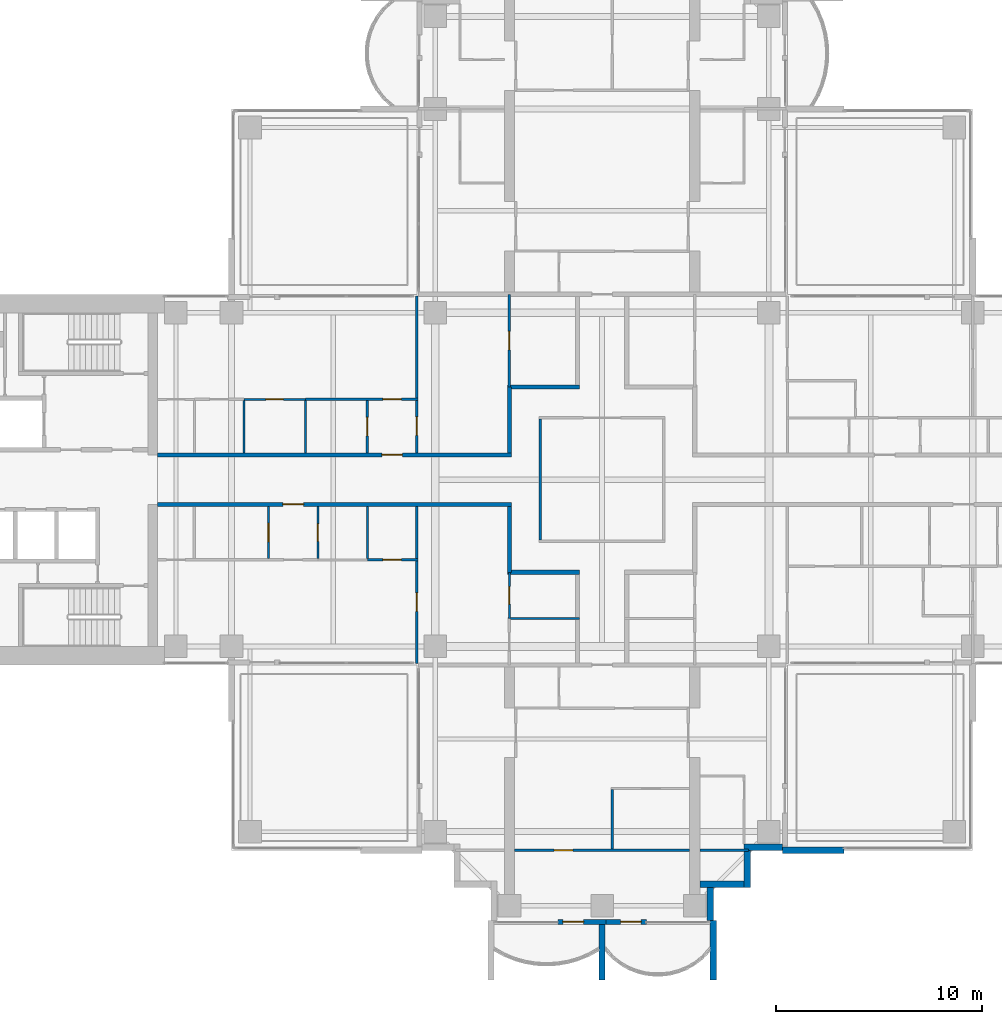
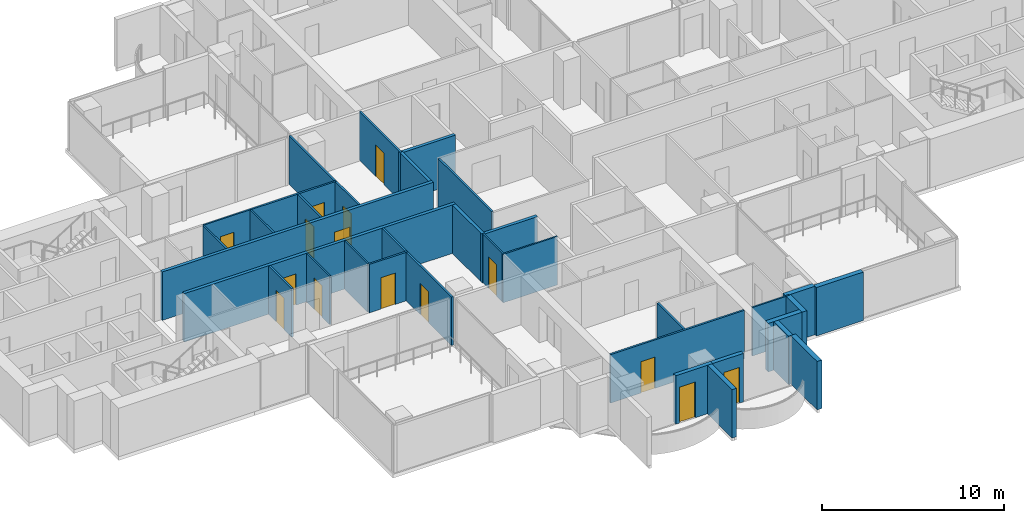
# One storey, part 10 of 19: 33 walls, 15 doors, 15 openings.
"""IFC4 building model written with IfcOpenShell, lengths in metres."""

from ifc_helpers import new_model, si_unit, direction, frame, frame_2d, origin, place, context, subcontext, project, spatial, rectangle, extrude, material, layer, layer_set, type_object, element, fill, save


model = new_model("IFC4")

# Units and contexts
model_context = context("Model", 3, precision=1e-05, world=origin(), true_north=direction((0.0, 1.0)))
body_context = subcontext(model_context, "Body", "Model", "MODEL_VIEW")
ifc_project = project(units=[si_unit("LENGTHUNIT", "METRE"), si_unit("AREAUNIT", "SQUARE_METRE"), si_unit("VOLUMEUNIT", "CUBIC_METRE"), si_unit("PLANEANGLEUNIT", "RADIAN"), si_unit("MASSUNIT", "GRAM", prefix="KILO")], contexts=[model_context])

# Site, building, storey
site_placement = place(None, origin())
site = spatial("IfcSite", under=ifc_project, at=site_placement, CompositionType="ELEMENT")
building_placement = place(site_placement, origin())
building = spatial("IfcBuilding", under=site, at=building_placement, Name="Perihelion Cross Residences", CompositionType="ELEMENT")
storey_placement = place(building_placement, frame((0.0, 0.0, 144.39990234375)))
storey = spatial("IfcBuildingStorey", under=building, at=storey_placement, Name="L35", CompositionType="ELEMENT", Elevation=144.39990234375)

# Wall, opening, door
ifc_material_1 = material(Name="Plasterboard partition")
ifc_layer_1 = layer(ifc_material_1, 0.199951171875)
ifc_layer_set_1 = layer_set([ifc_layer_1], Name="Apartment separation wall 200")
wall_type_1 = type_object("IfcWallType", Name="Apartment separation wall 200", PredefinedType="PARTITIONING", material=ifc_layer_set_1)
wall_1_placement = place(storey_placement, frame((-21.60009765625, 1.199951171875, 0.0), z_axis=(0.0, 0.0, 1.0), x_axis=(1.0, 0.0, 0.0)))
wall_1 = element("IfcWall", 1, at=wall_1_placement, inside=storey, type_object=wall_type_1, Name="Partition L35 W013", PredefinedType="PARTITIONING", context=body_context, shape_type="SweptSolid", body=[
    extrude(rectangle(XDim=17.2001953125, YDim=0.199951171875, at=frame_2d((8.60009765625, 0.0))), origin(), (0.0, 0.0, 1.0), 3.25),
])
opening_1_placement = place(wall_1_placement, frame((10.89990234375, 0.0, 0.0)))
opening_1 = element("IfcOpeningElement", 2, at=opening_1_placement, cuts=wall_1, Name="Opening L35.A52", PredefinedType="OPENING", context=body_context, shape_type="SweptSolid", body=[
    extrude(rectangle(XDim=1.0, YDim=2.10009765625, at=frame_2d((0.5, 1.050048828125))), frame((0.0, 0.10986328125, 0.0), z_axis=(0.0, -1.0, 0.0), x_axis=(1.0, 0.0, 0.0)), (0.0, 0.0, 1.0), 0.219970703125),
])
ifc_material_2 = material(Name="Timber door leaf", Category="wood")
door_type_1 = type_object("IfcDoorType", Name="Flat entrance door 1000 x 2100", OperationType="SINGLE_SWING_LEFT", PredefinedType="DOOR", material=ifc_material_2)
door_1_placement = place(opening_1_placement, origin())
door_1 = element("IfcDoor", 3, at=door_1_placement, inside=storey, type_object=door_type_1, Name="Door L35.A52", OperationType="SINGLE_SWING_RIGHT", OverallHeight=2.10009765625, OverallWidth=1.0, PredefinedType="DOOR", context=body_context, shape_type="SweptSolid", body=[
    extrude(rectangle(XDim=1.0, YDim=2.10009765625, at=frame_2d((0.5, 1.050048828125))), frame((0.0, 0.02490234375, 0.0), z_axis=(0.0, -1.0, 0.0), x_axis=(1.0, 0.0, 0.0)), (0.0, 0.0, 1.0), 0.050048828125),
])
fill(opening_1, door_1)

# Walls
wall_2_placement = place(storey_placement, frame((-4.5, 1.300048828125, 0.0), z_axis=(0.0, 0.0, 1.0), x_axis=(0.0, 1.0, 0.0)))
element("IfcWall", 4, at=wall_2_placement, inside=storey, type_object=wall_type_1, Name="Partition L35 W014", PredefinedType="PARTITIONING", context=body_context, shape_type="SweptSolid", body=[
    extrude(rectangle(XDim=3.199951171875, YDim=0.199951171875, at=frame_2d((1.60009765625, 0.0))), origin(), (0.0, 0.0, 1.0), 3.25),
])
wall_3_placement = place(storey_placement, frame((-4.60009765625, 4.5, 0.0), z_axis=(0.0, 0.0, 1.0), x_axis=(1.0, 0.0, 0.0)))
element("IfcWall", 5, at=wall_3_placement, inside=storey, type_object=wall_type_1, Name="Partition L35 W015", PredefinedType="PARTITIONING", context=body_context, shape_type="SweptSolid", body=[
    extrude(rectangle(XDim=3.5, YDim=0.199951171875, at=frame_2d((1.75, 0.0))), origin(), (0.0, 0.0, 1.0), 3.25),
])

# Wall, opening, door
wall_4_placement = place(storey_placement, frame((-4.39990234375, -1.199951171875, 0.0), z_axis=(0.0, 0.0, 1.0), x_axis=(-1.0, 0.0, 0.0)))
wall_4 = element("IfcWall", 6, at=wall_4_placement, inside=storey, type_object=wall_type_1, Name="Partition L35 W017", PredefinedType="PARTITIONING", context=body_context, shape_type="SweptSolid", body=[
    extrude(rectangle(XDim=17.2001953125, YDim=0.199951171875, at=frame_2d((8.60009765625, 0.0))), origin(), (0.0, 0.0, 1.0), 3.25),
])
opening_2_placement = place(wall_4_placement, frame((10.10009765625, 0.0, 0.0)))
opening_2 = element("IfcOpeningElement", 7, at=opening_2_placement, cuts=wall_4, Name="Opening L35.A53", PredefinedType="OPENING", context=body_context, shape_type="SweptSolid", body=[
    extrude(rectangle(XDim=1.0, YDim=2.10009765625, at=frame_2d((0.5, 1.050048828125))), frame((0.0, 0.10986328125, 0.0), z_axis=(0.0, -1.0, 0.0), x_axis=(1.0, 0.0, 0.0)), (0.0, 0.0, 1.0), 0.219970703125),
])
door_2_placement = place(opening_2_placement, origin())
door_2 = element("IfcDoor", 8, at=door_2_placement, inside=storey, type_object=door_type_1, Name="Door L35.A53", OperationType="SINGLE_SWING_RIGHT", OverallHeight=2.10009765625, OverallWidth=1.0, PredefinedType="DOOR", context=body_context, shape_type="SweptSolid", body=[
    extrude(rectangle(XDim=1.0, YDim=2.10009765625, at=frame_2d((0.5, 1.050048828125))), frame((0.0, 0.02490234375, 0.0), z_axis=(0.0, -1.0, 0.0), x_axis=(1.0, 0.0, 0.0)), (0.0, 0.0, 1.0), 0.050048828125),
])
fill(opening_2, door_2)

# Walls
wall_5_placement = place(storey_placement, frame((-4.5, -4.5, 0.0), z_axis=(0.0, 0.0, 1.0), x_axis=(0.0, 1.0, 0.0)))
element("IfcWall", 9, at=wall_5_placement, inside=storey, type_object=wall_type_1, Name="Partition L35 W018", PredefinedType="PARTITIONING", context=body_context, shape_type="SweptSolid", body=[
    extrude(rectangle(XDim=3.199951171875, YDim=0.199951171875, at=frame_2d((1.60009765625, 0.0))), origin(), (0.0, 0.0, 1.0), 3.25),
])
wall_6_placement = place(storey_placement, frame((-1.10009765625, -4.5, 0.0), z_axis=(0.0, 0.0, 1.0), x_axis=(-1.0, 0.0, 0.0)))
element("IfcWall", 10, at=wall_6_placement, inside=storey, type_object=wall_type_1, Name="Partition L35 W020", PredefinedType="PARTITIONING", context=body_context, shape_type="SweptSolid", body=[
    extrude(rectangle(XDim=3.5, YDim=0.199951171875, at=frame_2d((1.75, 0.0))), origin(), (0.0, 0.0, 1.0), 3.25),
])

# Wall, opening, door
ifc_material_3 = material(Name="Concrete C30/37, bronze-clad", Category="concrete")
ifc_layer_2 = layer(ifc_material_3, 0.25)
ifc_layer_set_2 = layer_set([ifc_layer_2], Name="Bronze-clad pier wall 250")
wall_type_2 = type_object("IfcWallType", Name="Bronze-clad pier wall 250", PredefinedType="SOLIDWALL", material=ifc_layer_set_2)
wall_7_placement = place(storey_placement, frame((-2.14990234375, -21.47509765625, 0.0), z_axis=(0.0, 0.0, 1.0), x_axis=(1.0, 0.0, 0.0)))
wall_7 = element("IfcWall", 11, at=wall_7_placement, inside=storey, type_object=wall_type_2, Name="Wall FW1 L35 south tip south bay 1 pier", PredefinedType="SOLIDWALL", context=body_context, shape_type="SweptSolid", body=[
    extrude(rectangle(XDim=2.349853515625, YDim=0.25, at=frame_2d((1.1748046875, 0.0))), origin(), (0.0, 0.0, 1.0), 3.25),
])
opening_3_placement = place(wall_7_placement, frame((0.25, 0.0, 0.0)))
opening_3 = element("IfcOpeningElement", 12, at=opening_3_placement, cuts=wall_7, Name="Opening L35.E11", PredefinedType="OPENING", context=body_context, shape_type="SweptSolid", body=[
    extrude(rectangle(XDim=1.0, YDim=2.39990234375, at=frame_2d((0.5, 1.199951171875))), frame((0.0, 0.135009765625, 0.0), z_axis=(0.0, -1.0, 0.0), x_axis=(1.0, 0.0, 0.0)), (0.0, 0.0, 1.0), 0.27001953125),
])
ifc_material_4 = material(Name="Bronze anodised aluminium, glazed", Category="aluminium")
door_type_2 = type_object("IfcDoorType", Name="Balcony door 1000 x 2400", OperationType="NOTDEFINED", PredefinedType="DOOR", material=ifc_material_4)
door_3_placement = place(opening_3_placement, origin())
door_3 = element("IfcDoor", 13, at=door_3_placement, inside=storey, type_object=door_type_2, Name="Door L35.E11 south tip south bay 1", OperationType="SINGLE_SWING_RIGHT", OverallHeight=2.39990234375, OverallWidth=1.0, PredefinedType="DOOR", context=body_context, shape_type="SweptSolid", body=[
    extrude(rectangle(XDim=1.0, YDim=2.39990234375, at=frame_2d((0.5, 1.199951171875))), frame((0.0, 0.02490234375, 0.0), z_axis=(0.0, -1.0, 0.0), x_axis=(1.0, 0.0, 0.0)), (0.0, 0.0, 1.0), 0.050048828125),
])
fill(opening_3, door_3)

wall_8_placement = place(storey_placement, frame((0.199951171875, -21.47509765625, 0.0), z_axis=(0.0, 0.0, 1.0), x_axis=(1.0, 0.0, 0.0)))
wall_8 = element("IfcWall", 14, at=wall_8_placement, inside=storey, type_object=wall_type_2, Name="Wall FW1 L35 south tip south bay 2 pier", PredefinedType="SOLIDWALL", context=body_context, shape_type="SweptSolid", body=[
    extrude(rectangle(XDim=1.949951171875, YDim=0.25, at=frame_2d((0.97509765625, 0.0))), origin(), (0.0, 0.0, 1.0), 3.25),
])
opening_4_placement = place(wall_8_placement, frame((0.699951171875, 0.0, 0.0)))
opening_4 = element("IfcOpeningElement", 15, at=opening_4_placement, cuts=wall_8, Name="Opening L35.E12", PredefinedType="OPENING", context=body_context, shape_type="SweptSolid", body=[
    extrude(rectangle(XDim=1.0, YDim=2.39990234375, at=frame_2d((0.5, 1.199951171875))), frame((0.0, 0.135009765625, 0.0), z_axis=(0.0, -1.0, 0.0), x_axis=(1.0, 0.0, 0.0)), (0.0, 0.0, 1.0), 0.27001953125),
])
door_4_placement = place(opening_4_placement, origin())
door_4 = element("IfcDoor", 16, at=door_4_placement, inside=storey, type_object=door_type_2, Name="Door L35.E12 south tip south bay 2", OperationType="SINGLE_SWING_LEFT", OverallHeight=2.39990234375, OverallWidth=1.0, PredefinedType="DOOR", context=body_context, shape_type="SweptSolid", body=[
    extrude(rectangle(XDim=1.0, YDim=2.39990234375, at=frame_2d((0.5, 1.199951171875))), frame((0.0, 0.02490234375, 0.0), z_axis=(0.0, -1.0, 0.0), x_axis=(1.0, 0.0, 0.0)), (0.0, 0.0, 1.0), 0.050048828125),
])
fill(opening_4, door_4)

# Walls
ifc_material_5 = material(Name="Concrete C30/37, bronze-clad", Category="concrete")
ifc_layer_3 = layer(ifc_material_5, 0.300048828125)
ifc_layer_set_3 = layer_set([ifc_layer_3], Name="Bronze-clad serration wall 300")
wall_type_3 = type_object("IfcWallType", Name="Bronze-clad serration wall 300", PredefinedType="SOLIDWALL", material=ifc_layer_set_3)
wall_9_placement = place(storey_placement, frame((5.25, -21.419921875, 0.0), z_axis=(0.0, 0.0, 1.0), x_axis=(0.0, 1.0, 0.0)))
element("IfcWall", 17, at=wall_9_placement, inside=storey, type_object=wall_type_3, Name="Wall SR1 L35 south corner south-east 1", PredefinedType="SOLIDWALL", context=body_context, shape_type="SweptSolid", body=[
    extrude(rectangle(XDim=1.619873046875, YDim=0.300048828125, at=frame_2d((0.81005859375, 0.0))), origin(), (0.0, 0.0, 1.0), 3.25),
])
wall_10_placement = place(storey_placement, frame((4.75, -19.64990234375, 0.0), z_axis=(0.0, 0.0, 1.0), x_axis=(1.0, 0.0, 0.0)))
element("IfcWall", 18, at=wall_10_placement, inside=storey, type_object=wall_type_3, Name="Wall SR1 L35 south corner south-east 2", PredefinedType="SOLIDWALL", context=body_context, shape_type="SweptSolid", body=[
    extrude(rectangle(XDim=2.14990234375, YDim=0.300048828125, at=frame_2d((1.074951171875, 0.0))), origin(), (0.0, 0.0, 1.0), 3.25),
])
wall_11_placement = place(storey_placement, frame((7.050048828125, -19.800048828125, 0.0), z_axis=(0.0, 0.0, 1.0), x_axis=(0.0, 1.0, 0.0)))
element("IfcWall", 19, at=wall_11_placement, inside=storey, type_object=wall_type_3, Name="Wall SR1 L35 south corner south-east 3", PredefinedType="SOLIDWALL", context=body_context, shape_type="SweptSolid", body=[
    extrude(rectangle(XDim=1.800048828125, YDim=0.300048828125, at=frame_2d((0.89990234375, 0.0))), origin(), (0.0, 0.0, 1.0), 3.25),
])
wall_12_placement = place(storey_placement, frame((6.89990234375, -17.85009765625, 0.0), z_axis=(0.0, 0.0, 1.0), x_axis=(1.0, 0.0, 0.0)))
element("IfcWall", 20, at=wall_12_placement, inside=storey, type_object=wall_type_3, Name="Wall SR1 L35 south corner south-east 4", PredefinedType="SOLIDWALL", context=body_context, shape_type="SweptSolid", body=[
    extrude(rectangle(XDim=1.85009765625, YDim=0.300048828125, at=frame_2d((0.925048828125, 0.0))), origin(), (0.0, 0.0, 1.0), 3.25),
])
ifc_material_6 = material(Name="Plasterboard partition")
ifc_layer_4 = layer(ifc_material_6, 0.1201171875)
ifc_layer_set_4 = layer_set([ifc_layer_4], Name="Partition wall 120")
wall_type_4 = type_object("IfcWallType", Name="Partition wall 120", PredefinedType="PARTITIONING", material=ifc_layer_set_4)
wall_13_placement = place(storey_placement, frame((-3.0, 2.93994140625, 0.0), z_axis=(0.0, 0.0, 1.0), x_axis=(0.0, -1.0, 0.0)))
element("IfcWall", 21, at=wall_13_placement, inside=storey, type_object=wall_type_4, Name="Partition L35 W004", PredefinedType="PARTITIONING", context=body_context, shape_type="SweptSolid", body=[
    extrude(rectangle(XDim=5.8798828125, YDim=0.1201171875, at=frame_2d((2.93994140625, 0.0))), origin(), (0.0, 0.0, 1.0), 3.25),
])

# Wall, opening, door
wall_14_placement = place(storey_placement, frame((-11.39990234375, 1.300048828125, 0.0), z_axis=(0.0, 0.0, 1.0), x_axis=(0.0, 1.0, 0.0)))
wall_14 = element("IfcWall", 22, at=wall_14_placement, inside=storey, type_object=wall_type_4, Name="Partition L35 W046", PredefinedType="PARTITIONING", context=body_context, shape_type="SweptSolid", body=[
    extrude(rectangle(XDim=2.5400390625, YDim=0.1201171875, at=frame_2d((1.27001953125, 0.0))), origin(), (0.0, 0.0, 1.0), 3.25),
])
opening_5_placement = place(wall_14_placement, frame((0.820068359375, 0.0, 0.0)))
opening_5 = element("IfcOpeningElement", 23, at=opening_5_placement, cuts=wall_14, Name="Opening L35.A21", PredefinedType="OPENING", context=body_context, shape_type="SweptSolid", body=[
    extrude(rectangle(XDim=0.89990234375, YDim=2.10009765625, at=frame_2d((0.449951171875, 1.050048828125))), frame((0.0, 0.070068359375, 0.0), z_axis=(0.0, -1.0, 0.0), x_axis=(1.0, 0.0, 0.0)), (0.0, 0.0, 1.0), 0.14013671875),
])
ifc_material_7 = material(Name="Timber door leaf", Category="wood")
door_type_3 = type_object("IfcDoorType", Name="Interior room door 900 x 2100", OperationType="SINGLE_SWING_LEFT", PredefinedType="DOOR", material=ifc_material_7)
door_5_placement = place(opening_5_placement, origin())
door_5 = element("IfcDoor", 24, at=door_5_placement, inside=storey, type_object=door_type_3, Name="Door L35.A21", OperationType="SINGLE_SWING_LEFT", OverallHeight=2.10009765625, OverallWidth=0.89990234375, PredefinedType="DOOR", context=body_context, shape_type="SweptSolid", body=[
    extrude(rectangle(XDim=0.89990234375, YDim=2.10009765625, at=frame_2d((0.449951171875, 1.050048828125))), frame((0.0, 0.02490234375, 0.0), z_axis=(0.0, -1.0, 0.0), x_axis=(1.0, 0.0, 0.0)), (0.0, 0.0, 1.0), 0.050048828125),
])
fill(opening_5, door_5)

wall_15_placement = place(storey_placement, frame((-14.39990234375, 3.89990234375, 0.0), z_axis=(0.0, 0.0, 1.0), x_axis=(1.0, 0.0, 0.0)))
wall_15 = element("IfcWall", 25, at=wall_15_placement, inside=storey, type_object=wall_type_4, Name="Partition L35 W047", PredefinedType="PARTITIONING", context=body_context, shape_type="SweptSolid", body=[
    extrude(rectangle(XDim=5.4599609375, YDim=0.1201171875, at=frame_2d((2.72998046875, 0.0))), origin(), (0.0, 0.0, 1.0), 3.25),
])
opening_6_placement = place(wall_15_placement, frame((3.75, 0.0, 0.0)))
opening_6 = element("IfcOpeningElement", 26, at=opening_6_placement, cuts=wall_15, Name="Opening L35.A23", PredefinedType="OPENING", context=body_context, shape_type="SweptSolid", body=[
    extrude(rectangle(XDim=0.89990234375, YDim=2.10009765625, at=frame_2d((0.449951171875, 1.050048828125))), frame((0.0, 0.070068359375, 0.0), z_axis=(0.0, -1.0, 0.0), x_axis=(1.0, 0.0, 0.0)), (0.0, 0.0, 1.0), 0.14013671875),
])
door_6_placement = place(opening_6_placement, origin())
door_6 = element("IfcDoor", 27, at=door_6_placement, inside=storey, type_object=door_type_3, Name="Door L35.A23", OperationType="SINGLE_SWING_RIGHT", OverallHeight=2.10009765625, OverallWidth=0.89990234375, PredefinedType="DOOR", context=body_context, shape_type="SweptSolid", body=[
    extrude(rectangle(XDim=0.89990234375, YDim=2.10009765625, at=frame_2d((0.449951171875, 1.050048828125))), frame((0.0, 0.02490234375, 0.0), z_axis=(0.0, -1.0, 0.0), x_axis=(1.0, 0.0, 0.0)), (0.0, 0.0, 1.0), 0.050048828125),
])
fill(opening_6, door_6)

wall_16_placement = place(storey_placement, frame((-9.0, 8.919921875, 0.0), z_axis=(0.0, 0.0, 1.0), x_axis=(0.0, -1.0, 0.0)))
wall_16 = element("IfcWall", 28, at=wall_16_placement, inside=storey, type_object=wall_type_4, Name="Partition L35 W048", PredefinedType="PARTITIONING", context=body_context, shape_type="SweptSolid", body=[
    extrude(rectangle(XDim=7.619873046875, YDim=0.1201171875, at=frame_2d((3.81005859375, 0.0))), origin(), (0.0, 0.0, 1.0), 3.25),
])
opening_7_placement = place(wall_16_placement, frame((5.8701171875, 0.0, 0.0)))
opening_7 = element("IfcOpeningElement", 29, at=opening_7_placement, cuts=wall_16, Name="Opening L35.A24", PredefinedType="OPENING", context=body_context, shape_type="SweptSolid", body=[
    extrude(rectangle(XDim=0.89990234375, YDim=2.10009765625, at=frame_2d((0.449951171875, 1.050048828125))), frame((0.0, 0.070068359375, 0.0), z_axis=(0.0, -1.0, 0.0), x_axis=(1.0, 0.0, 0.0)), (0.0, 0.0, 1.0), 0.14013671875),
])
door_7_placement = place(opening_7_placement, origin())
door_7 = element("IfcDoor", 30, at=door_7_placement, inside=storey, type_object=door_type_3, Name="Door L35.A24", OperationType="SINGLE_SWING_RIGHT", OverallHeight=2.10009765625, OverallWidth=0.89990234375, PredefinedType="DOOR", context=body_context, shape_type="SweptSolid", body=[
    extrude(rectangle(XDim=0.89990234375, YDim=2.10009765625, at=frame_2d((0.449951171875, 1.050048828125))), frame((0.0, 0.02490234375, 0.0), z_axis=(0.0, -1.0, 0.0), x_axis=(1.0, 0.0, 0.0)), (0.0, 0.0, 1.0), 0.050048828125),
])
fill(opening_7, door_7)

wall_17_placement = place(storey_placement, frame((-4.5, 9.0, 0.0), z_axis=(0.0, 0.0, 1.0), x_axis=(0.0, -1.0, 0.0)))
wall_17 = element("IfcWall", 31, at=wall_17_placement, inside=storey, type_object=wall_type_4, Name="Partition L35 W055", PredefinedType="PARTITIONING", context=body_context, shape_type="SweptSolid", body=[
    extrude(rectangle(XDim=4.5, YDim=0.1201171875, at=frame_2d((2.25, 0.0))), origin(), (0.0, 0.0, 1.0), 3.25),
])
opening_8_placement = place(wall_17_placement, frame((1.800048828125, 0.0, 0.0)))
opening_8 = element("IfcOpeningElement", 32, at=opening_8_placement, cuts=wall_17, Name="Opening L35.A20", PredefinedType="OPENING", context=body_context, shape_type="SweptSolid", body=[
    extrude(rectangle(XDim=0.89990234375, YDim=2.10009765625, at=frame_2d((0.449951171875, 1.050048828125))), frame((0.0, 0.070068359375, 0.0), z_axis=(0.0, -1.0, 0.0), x_axis=(1.0, 0.0, 0.0)), (0.0, 0.0, 1.0), 0.14013671875),
])
door_8_placement = place(opening_8_placement, origin())
door_8 = element("IfcDoor", 33, at=door_8_placement, inside=storey, type_object=door_type_3, Name="Door L35.A20", OperationType="SINGLE_SWING_LEFT", OverallHeight=2.10009765625, OverallWidth=0.89990234375, PredefinedType="DOOR", context=body_context, shape_type="SweptSolid", body=[
    extrude(rectangle(XDim=0.89990234375, YDim=2.10009765625, at=frame_2d((0.449951171875, 1.050048828125))), frame((0.0, 0.02490234375, 0.0), z_axis=(0.0, -1.0, 0.0), x_axis=(1.0, 0.0, 0.0)), (0.0, 0.0, 1.0), 0.050048828125),
])
fill(opening_8, door_8)

wall_18_placement = place(storey_placement, frame((-8.93994140625, -3.89990234375, 0.0), z_axis=(0.0, 0.0, 1.0), x_axis=(-1.0, 0.0, 0.0)))
wall_18 = element("IfcWall", 34, at=wall_18_placement, inside=storey, type_object=wall_type_4, Name="Partition L35 W057", PredefinedType="PARTITIONING", context=body_context, shape_type="SweptSolid", body=[
    extrude(rectangle(XDim=2.4599609375, YDim=0.1201171875, at=frame_2d((1.22998046875, 0.0))), origin(), (0.0, 0.0, 1.0), 3.25),
])
opening_9_placement = place(wall_18_placement, frame((0.81005859375, 0.0, 0.0)))
opening_9 = element("IfcOpeningElement", 35, at=opening_9_placement, cuts=wall_18, Name="Opening L35.A33", PredefinedType="OPENING", context=body_context, shape_type="SweptSolid", body=[
    extrude(rectangle(XDim=0.89990234375, YDim=2.10009765625, at=frame_2d((0.449951171875, 1.050048828125))), frame((0.0, 0.070068359375, 0.0), z_axis=(0.0, -1.0, 0.0), x_axis=(1.0, 0.0, 0.0)), (0.0, 0.0, 1.0), 0.14013671875),
])
door_9_placement = place(opening_9_placement, origin())
door_9 = element("IfcDoor", 36, at=door_9_placement, inside=storey, type_object=door_type_3, Name="Door L35.A33", OperationType="SINGLE_SWING_RIGHT", OverallHeight=2.10009765625, OverallWidth=0.89990234375, PredefinedType="DOOR", context=body_context, shape_type="SweptSolid", body=[
    extrude(rectangle(XDim=0.89990234375, YDim=2.10009765625, at=frame_2d((0.449951171875, 1.050048828125))), frame((0.0, 0.02490234375, 0.0), z_axis=(0.0, -1.0, 0.0), x_axis=(1.0, 0.0, 0.0)), (0.0, 0.0, 1.0), 0.050048828125),
])
fill(opening_9, door_9)

wall_19_placement = place(storey_placement, frame((-9.0, -1.300048828125, 0.0), z_axis=(0.0, 0.0, 1.0), x_axis=(0.0, -1.0, 0.0)))
wall_19 = element("IfcWall", 37, at=wall_19_placement, inside=storey, type_object=wall_type_4, Name="Partition L35 W058", PredefinedType="PARTITIONING", context=body_context, shape_type="SweptSolid", body=[
    extrude(rectangle(XDim=7.619873046875, YDim=0.1201171875, at=frame_2d((3.81005859375, 0.0))), origin(), (0.0, 0.0, 1.0), 3.25),
])
opening_10_placement = place(wall_19_placement, frame((4.199951171875, 0.0, 0.0)))
opening_10 = element("IfcOpeningElement", 38, at=opening_10_placement, cuts=wall_19, Name="Opening L35.A28", PredefinedType="OPENING", context=body_context, shape_type="SweptSolid", body=[
    extrude(rectangle(XDim=0.89990234375, YDim=2.10009765625, at=frame_2d((0.449951171875, 1.050048828125))), frame((0.0, 0.070068359375, 0.0), z_axis=(0.0, -1.0, 0.0), x_axis=(1.0, 0.0, 0.0)), (0.0, 0.0, 1.0), 0.14013671875),
])
door_10_placement = place(opening_10_placement, origin())
door_10 = element("IfcDoor", 39, at=door_10_placement, inside=storey, type_object=door_type_3, Name="Door L35.A28", OperationType="SINGLE_SWING_RIGHT", OverallHeight=2.10009765625, OverallWidth=0.89990234375, PredefinedType="DOOR", context=body_context, shape_type="SweptSolid", body=[
    extrude(rectangle(XDim=0.89990234375, YDim=2.10009765625, at=frame_2d((0.449951171875, 1.050048828125))), frame((0.0, 0.02490234375, 0.0), z_axis=(0.0, -1.0, 0.0), x_axis=(1.0, 0.0, 0.0)), (0.0, 0.0, 1.0), 0.050048828125),
])
fill(opening_10, door_10)

wall_20_placement = place(storey_placement, frame((-16.199951171875, -3.840087890625, 0.0), z_axis=(0.0, 0.0, 1.0), x_axis=(0.0, 1.0, 0.0)))
wall_20 = element("IfcWall", 40, at=wall_20_placement, inside=storey, type_object=wall_type_4, Name="Partition L35 W061", PredefinedType="PARTITIONING", context=body_context, shape_type="SweptSolid", body=[
    extrude(rectangle(XDim=2.5400390625, YDim=0.1201171875, at=frame_2d((1.27001953125, 0.0))), origin(), (0.0, 0.0, 1.0), 3.25),
])
opening_11_placement = place(wall_20_placement, frame((0.820068359375, 0.0, 0.0)))
opening_11 = element("IfcOpeningElement", 41, at=opening_11_placement, cuts=wall_20, Name="Opening L35.A29", PredefinedType="OPENING", context=body_context, shape_type="SweptSolid", body=[
    extrude(rectangle(XDim=0.89990234375, YDim=2.10009765625, at=frame_2d((0.449951171875, 1.050048828125))), frame((0.0, 0.070068359375, 0.0), z_axis=(0.0, -1.0, 0.0), x_axis=(1.0, 0.0, 0.0)), (0.0, 0.0, 1.0), 0.14013671875),
])
door_11_placement = place(opening_11_placement, origin())
door_11 = element("IfcDoor", 42, at=door_11_placement, inside=storey, type_object=door_type_3, Name="Door L35.A29", OperationType="SINGLE_SWING_LEFT", OverallHeight=2.10009765625, OverallWidth=0.89990234375, PredefinedType="DOOR", context=body_context, shape_type="SweptSolid", body=[
    extrude(rectangle(XDim=0.89990234375, YDim=2.10009765625, at=frame_2d((0.449951171875, 1.050048828125))), frame((0.0, 0.02490234375, 0.0), z_axis=(0.0, -1.0, 0.0), x_axis=(1.0, 0.0, 0.0)), (0.0, 0.0, 1.0), 0.050048828125),
])
fill(opening_11, door_11)

# Wall
wall_21_placement = place(storey_placement, frame((0.5, -15.06005859375, 0.0), z_axis=(0.0, 0.0, 1.0), x_axis=(0.0, -1.0, 0.0)))
element("IfcWall", 43, at=wall_21_placement, inside=storey, type_object=wall_type_4, Name="Partition L35 W091", PredefinedType="PARTITIONING", context=body_context, shape_type="SweptSolid", body=[
    extrude(rectangle(XDim=2.8798828125, YDim=0.1201171875, at=frame_2d((1.43994140625, 0.0))), origin(), (0.0, 0.0, 1.0), 3.25),
])

# Wall, opening, door
wall_22_placement = place(storey_placement, frame((4.25, -18.0, 0.0), z_axis=(0.0, 0.0, 1.0), x_axis=(-1.0, 0.0, 0.0)))
wall_22 = element("IfcWall", 44, at=wall_22_placement, inside=storey, type_object=wall_type_4, Name="Partition L35 W092", PredefinedType="PARTITIONING", context=body_context, shape_type="SweptSolid", body=[
    extrude(rectangle(XDim=8.5, YDim=0.1201171875, at=frame_2d((4.25, 0.0))), origin(), (0.0, 0.0, 1.0), 3.25),
])
opening_12_placement = place(wall_22_placement, frame((5.675048828125, 0.0, 0.0)))
opening_12 = element("IfcOpeningElement", 45, at=opening_12_placement, cuts=wall_22, Name="Opening L35.A48", PredefinedType="OPENING", context=body_context, shape_type="SweptSolid", body=[
    extrude(rectangle(XDim=0.89990234375, YDim=2.10009765625, at=frame_2d((0.449951171875, 1.050048828125))), frame((0.0, 0.070068359375, 0.0), z_axis=(0.0, -1.0, 0.0), x_axis=(1.0, 0.0, 0.0)), (0.0, 0.0, 1.0), 0.14013671875),
])
door_12_placement = place(opening_12_placement, origin())
door_12 = element("IfcDoor", 46, at=door_12_placement, inside=storey, type_object=door_type_3, Name="Door L35.A48", OperationType="SINGLE_SWING_LEFT", OverallHeight=2.10009765625, OverallWidth=0.89990234375, PredefinedType="DOOR", context=body_context, shape_type="SweptSolid", body=[
    extrude(rectangle(XDim=0.89990234375, YDim=2.10009765625, at=frame_2d((0.449951171875, 1.050048828125))), frame((0.0, 0.02490234375, 0.0), z_axis=(0.0, -1.0, 0.0), x_axis=(1.0, 0.0, 0.0)), (0.0, 0.0, 1.0), 0.050048828125),
])
fill(opening_12, door_12)

# Walls
ifc_material_8 = material(Name="Precast concrete C50/60", Category="concrete")
ifc_layer_5 = layer(ifc_material_8, 0.300048828125)
ifc_layer_set_5 = layer_set([ifc_layer_5], Name="Precast concrete C50/60 blade wall 300")
wall_type_5 = type_object("IfcWallType", Name="Precast concrete C50/60 blade wall 300", PredefinedType="SOLIDWALL", material=ifc_layer_set_5)
wall_23_placement = place(storey_placement, frame((0.0, -21.60009765625, 0.0), z_axis=(0.0, 0.0, 1.0), x_axis=(0.0, -1.0, 0.0)))
element("IfcWall", 47, at=wall_23_placement, inside=storey, type_object=wall_type_5, Name="Wall BL1 L35 no. 8", PredefinedType="SOLIDWALL", context=body_context, shape_type="SweptSolid", body=[
    extrude(rectangle(XDim=2.699951171875, YDim=0.300048828125, at=frame_2d((1.35009765625, 0.0))), origin(), (0.0, 0.0, 1.0), 3.25),
])
wall_24_placement = place(storey_placement, frame((5.39990234375, -21.419921875, 0.0), z_axis=(0.0, 0.0, 1.0), x_axis=(0.0, -1.0, 0.0)))
element("IfcWall", 48, at=wall_24_placement, inside=storey, type_object=wall_type_5, Name="Wall BL1 L35 no. 12", PredefinedType="SOLIDWALL", context=body_context, shape_type="SweptSolid", body=[
    extrude(rectangle(XDim=2.880126953125, YDim=0.300048828125, at=frame_2d((1.43994140625, 0.0))), origin(), (0.0, 0.0, 1.0), 3.25),
])
wall_25_placement = place(storey_placement, frame((8.75, -18.0, 0.0), z_axis=(0.0, 0.0, 1.0), x_axis=(1.0, 0.0, 0.0)))
element("IfcWall", 49, at=wall_25_placement, inside=storey, type_object=wall_type_5, Name="Wall BL1 L35 no. 14", PredefinedType="SOLIDWALL", context=body_context, shape_type="SweptSolid", body=[
    extrude(rectangle(XDim=2.989990234375, YDim=0.300048828125, at=frame_2d((1.4951171875, 0.0))), origin(), (0.0, 0.0, 1.0), 3.25),
])
ifc_material_9 = material(Name="Plasterboard partition")
ifc_layer_6 = layer(ifc_material_9, 0.10009765625)
ifc_layer_set_6 = layer_set([ifc_layer_6], Name="Wet room wall 100")
wall_type_6 = type_object("IfcWallType", Name="Wet room wall 100", PredefinedType="PARTITIONING", material=ifc_layer_set_6)
for number, where, z_axis, x_axis, name in (
    (50, (-14.39990234375, 1.300048828125, 0.0), (0.0, 0.0, 1.0), (0.0, 1.0, 0.0), "Partition L35 W049"),
    (51, (-17.39990234375, 1.300048828125, 0.0), (0.0, 0.0, 1.0), (0.0, 1.0, 0.0), "Partition L35 W050"),
):
    element("IfcWall", number, at=place(storey_placement, frame(where, z_axis=z_axis, x_axis=x_axis)), inside=storey, type_object=wall_type_6, Name=name, PredefinedType="PARTITIONING", context=body_context, shape_type="SweptSolid", body=[
        extrude(rectangle(XDim=2.5400390625, YDim=0.10009765625, at=frame_2d((1.27001953125, 0.0))), origin(), (0.0, 0.0, 1.0), 3.25),
    ])

# Wall, opening, door
wall_26_placement = place(storey_placement, frame((-17.39990234375, 3.89990234375, 0.0), z_axis=(0.0, 0.0, 1.0), x_axis=(1.0, 0.0, 0.0)))
wall_26 = element("IfcWall", 52, at=wall_26_placement, inside=storey, type_object=wall_type_6, Name="Partition L35 W051", PredefinedType="PARTITIONING", context=body_context, shape_type="SweptSolid", body=[
    extrude(rectangle(XDim=3.0, YDim=0.10009765625, at=frame_2d((1.5, 0.0))), origin(), (0.0, 0.0, 1.0), 3.25),
])
opening_13_placement = place(wall_26_placement, frame((1.074951171875, 0.0, 0.0)))
opening_13 = element("IfcOpeningElement", 53, at=opening_13_placement, cuts=wall_26, Name="Opening L35.A19", PredefinedType="OPENING", context=body_context, shape_type="SweptSolid", body=[
    extrude(rectangle(XDim=0.85009765625, YDim=2.10009765625, at=frame_2d((0.425048828125, 1.050048828125))), frame((0.0, 0.06005859375, 0.0), z_axis=(0.0, -1.0, 0.0), x_axis=(1.0, 0.0, 0.0)), (0.0, 0.0, 1.0), 0.1201171875),
])
ifc_material_10 = material(Name="Timber door leaf", Category="wood")
door_type_4 = type_object("IfcDoorType", Name="Interior bathroom door 850 x 2100", OperationType="SINGLE_SWING_LEFT", PredefinedType="DOOR", material=ifc_material_10)
door_13_placement = place(opening_13_placement, origin())
door_13 = element("IfcDoor", 54, at=door_13_placement, inside=storey, type_object=door_type_4, Name="Door L35.A19", OperationType="SINGLE_SWING_LEFT", OverallHeight=2.10009765625, OverallWidth=0.85009765625, PredefinedType="DOOR", context=body_context, shape_type="SweptSolid", body=[
    extrude(rectangle(XDim=0.85009765625, YDim=2.10009765625, at=frame_2d((0.425048828125, 1.050048828125))), frame((0.0, 0.02490234375, 0.0), z_axis=(0.0, -1.0, 0.0), x_axis=(1.0, 0.0, 0.0)), (0.0, 0.0, 1.0), 0.050048828125),
])
fill(opening_13, door_13)

# Wall
wall_27_placement = place(storey_placement, frame((-11.39990234375, -3.840087890625, 0.0), z_axis=(0.0, 0.0, 1.0), x_axis=(0.0, 1.0, 0.0)))
element("IfcWall", 55, at=wall_27_placement, inside=storey, type_object=wall_type_6, Name="Partition L35 W056", PredefinedType="PARTITIONING", context=body_context, shape_type="SweptSolid", body=[
    extrude(rectangle(XDim=2.5400390625, YDim=0.10009765625, at=frame_2d((1.27001953125, 0.0))), origin(), (0.0, 0.0, 1.0), 3.25),
])

# Wall, opening, door
wall_28_placement = place(storey_placement, frame((-13.800048828125, -3.840087890625, 0.0), z_axis=(0.0, 0.0, 1.0), x_axis=(0.0, 1.0, 0.0)))
wall_28 = element("IfcWall", 56, at=wall_28_placement, inside=storey, type_object=wall_type_6, Name="Partition L35 W059", PredefinedType="PARTITIONING", context=body_context, shape_type="SweptSolid", body=[
    extrude(rectangle(XDim=2.5400390625, YDim=0.10009765625, at=frame_2d((1.27001953125, 0.0))), origin(), (0.0, 0.0, 1.0), 3.25),
])
opening_14_placement = place(wall_28_placement, frame((0.844970703125, 0.0, 0.0)))
opening_14 = element("IfcOpeningElement", 57, at=opening_14_placement, cuts=wall_28, Name="Opening L35.A26", PredefinedType="OPENING", context=body_context, shape_type="SweptSolid", body=[
    extrude(rectangle(XDim=0.85009765625, YDim=2.10009765625, at=frame_2d((0.425048828125, 1.050048828125))), frame((0.0, 0.06005859375, 0.0), z_axis=(0.0, -1.0, 0.0), x_axis=(1.0, 0.0, 0.0)), (0.0, 0.0, 1.0), 0.1201171875),
])
door_14_placement = place(opening_14_placement, origin())
door_14 = element("IfcDoor", 58, at=door_14_placement, inside=storey, type_object=door_type_4, Name="Door L35.A26", OperationType="SINGLE_SWING_LEFT", OverallHeight=2.10009765625, OverallWidth=0.85009765625, PredefinedType="DOOR", context=body_context, shape_type="SweptSolid", body=[
    extrude(rectangle(XDim=0.85009765625, YDim=2.10009765625, at=frame_2d((0.425048828125, 1.050048828125))), frame((0.0, 0.02490234375, 0.0), z_axis=(0.0, -1.0, 0.0), x_axis=(1.0, 0.0, 0.0)), (0.0, 0.0, 1.0), 0.050048828125),
])
fill(opening_14, door_14)

wall_29_placement = place(storey_placement, frame((-4.5, -4.5, 0.0), z_axis=(0.0, 0.0, 1.0), x_axis=(0.0, -1.0, 0.0)))
wall_29 = element("IfcWall", 59, at=wall_29_placement, inside=storey, type_object=wall_type_6, Name="Partition L35 W064", PredefinedType="PARTITIONING", context=body_context, shape_type="SweptSolid", body=[
    extrude(rectangle(XDim=2.25, YDim=0.10009765625, at=frame_2d((1.125, 0.0))), origin(), (0.0, 0.0, 1.0), 3.25),
])
opening_15_placement = place(wall_29_placement, frame((0.699951171875, 0.0, 0.0)))
opening_15 = element("IfcOpeningElement", 60, at=opening_15_placement, cuts=wall_29, Name="Opening L35.A27", PredefinedType="OPENING", context=body_context, shape_type="SweptSolid", body=[
    extrude(rectangle(XDim=0.85009765625, YDim=2.10009765625, at=frame_2d((0.425048828125, 1.050048828125))), frame((0.0, 0.06005859375, 0.0), z_axis=(0.0, -1.0, 0.0), x_axis=(1.0, 0.0, 0.0)), (0.0, 0.0, 1.0), 0.1201171875),
])
door_15_placement = place(opening_15_placement, origin())
door_15 = element("IfcDoor", 61, at=door_15_placement, inside=storey, type_object=door_type_4, Name="Door L35.A27", OperationType="SINGLE_SWING_LEFT", OverallHeight=2.10009765625, OverallWidth=0.85009765625, PredefinedType="DOOR", context=body_context, shape_type="SweptSolid", body=[
    extrude(rectangle(XDim=0.85009765625, YDim=2.10009765625, at=frame_2d((0.425048828125, 1.050048828125))), frame((0.0, 0.02490234375, 0.0), z_axis=(0.0, -1.0, 0.0), x_axis=(1.0, 0.0, 0.0)), (0.0, 0.0, 1.0), 0.050048828125),
])
fill(opening_15, door_15)

# Walls
wall_30_placement = place(storey_placement, frame((-1.10009765625, -6.75, 0.0), z_axis=(0.0, 0.0, 1.0), x_axis=(-1.0, 0.0, 0.0)))
element("IfcWall", 62, at=wall_30_placement, inside=storey, type_object=wall_type_6, Name="Partition L35 W066", PredefinedType="PARTITIONING", context=body_context, shape_type="SweptSolid", body=[
    extrude(rectangle(XDim=3.4599609375, YDim=0.10009765625, at=frame_2d((1.72998046875, 0.0))), origin(), (0.0, 0.0, 1.0), 3.25),
])
wall_31_placement = place(storey_placement, frame((7.1201171875, -18.0, 0.0), z_axis=(0.0, 0.0, 1.0), x_axis=(-1.0, 0.0, 0.0)))
element("IfcWall", 63, at=wall_31_placement, inside=storey, type_object=wall_type_6, Name="Partition L35 W095", PredefinedType="PARTITIONING", context=body_context, shape_type="SweptSolid", body=[
    extrude(rectangle(XDim=2.3701171875, YDim=0.10009765625, at=frame_2d((1.18505859375, 0.0))), origin(), (0.0, 0.0, 1.0), 3.25),
])

save(model, "model.ifc")
